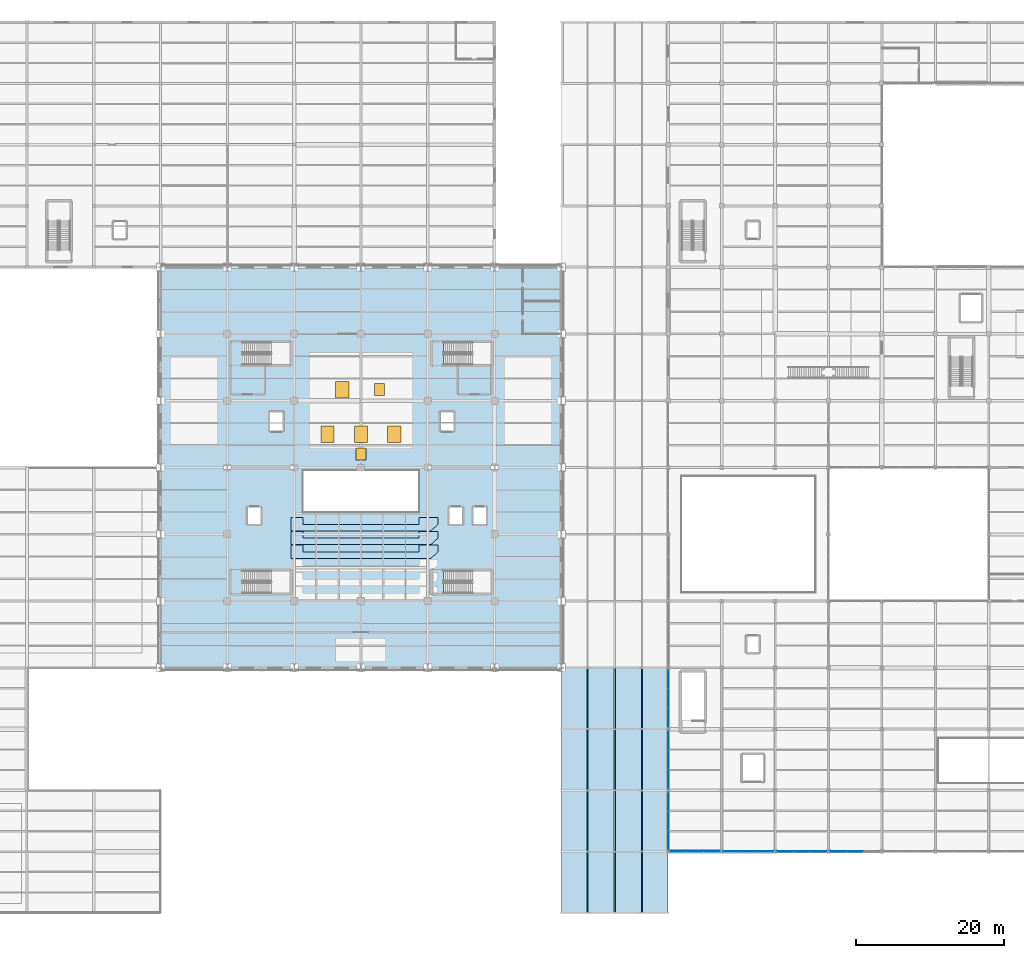
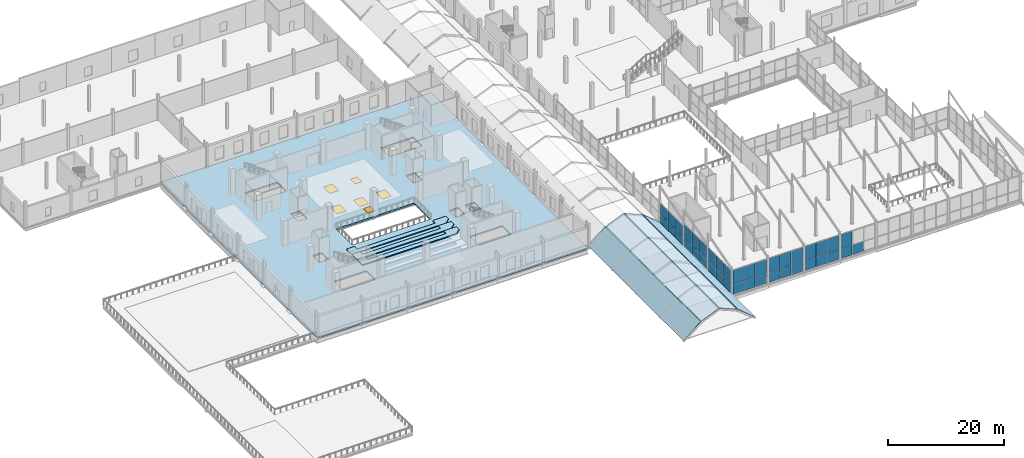
# One storey, part 100 of 141: 39 plates, 8 slabs, 6 doors, 6 openings, 7 elements without a shape of their own.
"""IFC4 building model written with IfcOpenShell, lengths in metres."""

from ifc_helpers import new_model, si_unit, direction, frame, origin, origin_2d, place, context, subcontext, project, spatial, polyline, rectangle, outline, extrude, material, layer, layer_set, type_object, element, fill, aggregate, save


model = new_model("IFC4")

# Units and contexts
model_context = context("Model", 3, precision=1e-05, world=origin(), true_north=direction((0.0, 1.0)))
body_context = subcontext(model_context, "Body", "Model", "MODEL_VIEW")
ifc_project = project(units=[si_unit("LENGTHUNIT", "METRE"), si_unit("AREAUNIT", "SQUARE_METRE"), si_unit("VOLUMEUNIT", "CUBIC_METRE"), si_unit("PLANEANGLEUNIT", "RADIAN"), si_unit("MASSUNIT", "GRAM", prefix="KILO")], contexts=[model_context])

# Site, building, storey
site_placement = place(None, origin())
site = spatial("IfcSite", under=ifc_project, at=site_placement, CompositionType="ELEMENT")
building_placement = place(site_placement, origin())
building = spatial("IfcBuilding", under=site, at=building_placement, Name="Sundgate Opera House", CompositionType="ELEMENT")
storey_placement = place(building_placement, frame((0.0, 0.0, 11.39990234375)))
storey = spatial("IfcBuildingStorey", under=building, at=storey_placement, Name="L02", CompositionType="ELEMENT", Elevation=11.39990234375)

# Curtain wall, plates
ifc_material_1 = material(Name="Anodized aluminium and low-iron glass", Category="aluminium")
ifc_layer_1 = layer(ifc_material_1, 0.14990234375)
ifc_layer_set_1 = layer_set([ifc_layer_1], Name="Anodized aluminium and low-iron glass")
curtain_wall_type = type_object("IfcCurtainWallType", Name="CW-WORKSHOP-DARK", PredefinedType="NOTDEFINED", material=ifc_layer_set_1)
curtain_wall_1_placement = place(storey_placement, origin())
curtain_wall_1 = element("IfcCurtainWall", 1, at=curtain_wall_1_placement, inside=storey, type_object=curtain_wall_type, Name="L02 Curtain Wall CW154", PredefinedType="NOTDEFINED")
ifc_material_2 = material(Name="Dark solar-control triple acoustic glazing", Category="glass")
ifc_layer_2 = layer(ifc_material_2, 0.031982421875)
ifc_layer_set_2 = layer_set([ifc_layer_2], Name="Dark solar-control triple acoustic glazing")
plate_type_1 = type_object("IfcPlateType", Name="CWP-DARK-32", PredefinedType="CURTAIN_PANEL", material=ifc_layer_set_2)
plate_1_placement = place(storey_placement, frame((101.25, 8.25, 0.02001953125), z_axis=(0.0, 0.0, 1.0), x_axis=(-1.0, 0.0, 0.0)))
plate_1 = element("IfcPlate", 2, at=plate_1_placement, type_object=plate_type_1, Name="CW154 Panel 1", PredefinedType="CURTAIN_PANEL", context=body_context, shape_type="SweptSolid", body=[
    extrude(rectangle(XDim=2.2099609375, YDim=0.031982421875, at=origin_2d()), origin(), (0.0, 0.0, 1.0), 2.06005859375),
])
plate_2_placement = place(storey_placement, frame((101.25, 8.25, 2.1201171875), z_axis=(0.0, 0.0, 1.0), x_axis=(-1.0, 0.0, 0.0)))
plate_2 = element("IfcPlate", 3, at=plate_2_placement, type_object=plate_type_1, Name="CW154 Panel 2", PredefinedType="CURTAIN_PANEL", context=body_context, shape_type="SweptSolid", body=[
    extrude(rectangle(XDim=2.2099609375, YDim=0.031982421875, at=origin_2d()), origin(), (0.0, 0.0, 1.0), 2.945068359375),
])
plate_3_placement = place(storey_placement, frame((99.0, 8.25, 0.02001953125), z_axis=(0.0, 0.0, 1.0), x_axis=(-1.0, 0.0, 0.0)))
plate_3 = element("IfcPlate", 4, at=plate_3_placement, type_object=plate_type_1, Name="CW154 Panel 3", PredefinedType="CURTAIN_PANEL", context=body_context, shape_type="SweptSolid", body=[
    extrude(rectangle(XDim=2.2099609375, YDim=0.031982421875, at=origin_2d()), origin(), (0.0, 0.0, 1.0), 2.06005859375),
])
plate_4_placement = place(storey_placement, frame((99.0, 8.25, 2.1201171875), z_axis=(0.0, 0.0, 1.0), x_axis=(-1.0, 0.0, 0.0)))
plate_4 = element("IfcPlate", 5, at=plate_4_placement, type_object=plate_type_1, Name="CW154 Panel 4", PredefinedType="CURTAIN_PANEL", context=body_context, shape_type="SweptSolid", body=[
    extrude(rectangle(XDim=2.2099609375, YDim=0.031982421875, at=origin_2d()), origin(), (0.0, 0.0, 1.0), 2.945068359375),
])
plate_5_placement = place(storey_placement, frame((96.75, 8.25, 0.02001953125), z_axis=(0.0, 0.0, 1.0), x_axis=(-1.0, 0.0, 0.0)))
plate_5 = element("IfcPlate", 6, at=plate_5_placement, type_object=plate_type_1, Name="CW154 Panel 5", PredefinedType="CURTAIN_PANEL", context=body_context, shape_type="SweptSolid", body=[
    extrude(rectangle(XDim=2.2099609375, YDim=0.031982421875, at=origin_2d()), origin(), (0.0, 0.0, 1.0), 2.06005859375),
])
plate_6_placement = place(storey_placement, frame((96.75, 8.25, 2.1201171875), z_axis=(0.0, 0.0, 1.0), x_axis=(-1.0, 0.0, 0.0)))
plate_6 = element("IfcPlate", 7, at=plate_6_placement, type_object=plate_type_1, Name="CW154 Panel 6", PredefinedType="CURTAIN_PANEL", context=body_context, shape_type="SweptSolid", body=[
    extrude(rectangle(XDim=2.2099609375, YDim=0.031982421875, at=origin_2d()), origin(), (0.0, 0.0, 1.0), 2.945068359375),
])
aggregate(curtain_wall_1, [plate_1, plate_2, plate_3, plate_4, plate_5, plate_6])

curtain_wall_2_placement = place(storey_placement, origin())
curtain_wall_2 = element("IfcCurtainWall", 8, at=curtain_wall_2_placement, inside=storey, type_object=curtain_wall_type, Name="L02 Curtain Wall CW155", PredefinedType="NOTDEFINED")
plate_7_placement = place(storey_placement, frame((108.449951171875, 8.25, 0.02001953125), z_axis=(0.0, 0.0, 1.0), x_axis=(-1.0, 0.0, 0.0)))
plate_7 = element("IfcPlate", 9, at=plate_7_placement, type_object=plate_type_1, Name="CW155 Panel 1", PredefinedType="CURTAIN_PANEL", context=body_context, shape_type="SweptSolid", body=[
    extrude(rectangle(XDim=2.2099609375, YDim=0.031982421875, at=origin_2d()), origin(), (0.0, 0.0, 1.0), 2.06005859375),
])
plate_8_placement = place(storey_placement, frame((108.449951171875, 8.25, 2.1201171875), z_axis=(0.0, 0.0, 1.0), x_axis=(-1.0, 0.0, 0.0)))
plate_8 = element("IfcPlate", 10, at=plate_8_placement, type_object=plate_type_1, Name="CW155 Panel 2", PredefinedType="CURTAIN_PANEL", context=body_context, shape_type="SweptSolid", body=[
    extrude(rectangle(XDim=2.2099609375, YDim=0.031982421875, at=origin_2d()), origin(), (0.0, 0.0, 1.0), 2.945068359375),
])
plate_9_placement = place(storey_placement, frame((106.199951171875, 8.25, 0.02001953125), z_axis=(0.0, 0.0, 1.0), x_axis=(-1.0, 0.0, 0.0)))
plate_9 = element("IfcPlate", 11, at=plate_9_placement, type_object=plate_type_1, Name="CW155 Panel 3", PredefinedType="CURTAIN_PANEL", context=body_context, shape_type="SweptSolid", body=[
    extrude(rectangle(XDim=2.2099609375, YDim=0.031982421875, at=origin_2d()), origin(), (0.0, 0.0, 1.0), 2.06005859375),
])
plate_10_placement = place(storey_placement, frame((106.199951171875, 8.25, 2.1201171875), z_axis=(0.0, 0.0, 1.0), x_axis=(-1.0, 0.0, 0.0)))
plate_10 = element("IfcPlate", 12, at=plate_10_placement, type_object=plate_type_1, Name="CW155 Panel 4", PredefinedType="CURTAIN_PANEL", context=body_context, shape_type="SweptSolid", body=[
    extrude(rectangle(XDim=2.2099609375, YDim=0.031982421875, at=origin_2d()), origin(), (0.0, 0.0, 1.0), 2.945068359375),
])
plate_11_placement = place(storey_placement, frame((103.949951171875, 8.25, 0.02001953125), z_axis=(0.0, 0.0, 1.0), x_axis=(-1.0, 0.0, 0.0)))
plate_11 = element("IfcPlate", 13, at=plate_11_placement, type_object=plate_type_1, Name="CW155 Panel 5", PredefinedType="CURTAIN_PANEL", context=body_context, shape_type="SweptSolid", body=[
    extrude(rectangle(XDim=2.2099609375, YDim=0.031982421875, at=origin_2d()), origin(), (0.0, 0.0, 1.0), 2.06005859375),
])
plate_12_placement = place(storey_placement, frame((103.949951171875, 8.25, 2.1201171875), z_axis=(0.0, 0.0, 1.0), x_axis=(-1.0, 0.0, 0.0)))
plate_12 = element("IfcPlate", 14, at=plate_12_placement, type_object=plate_type_1, Name="CW155 Panel 6", PredefinedType="CURTAIN_PANEL", context=body_context, shape_type="SweptSolid", body=[
    extrude(rectangle(XDim=2.2099609375, YDim=0.031982421875, at=origin_2d()), origin(), (0.0, 0.0, 1.0), 2.945068359375),
])
aggregate(curtain_wall_2, [plate_7, plate_8, plate_9, plate_10, plate_11, plate_12])

curtain_wall_3_placement = place(storey_placement, origin())
curtain_wall_3 = element("IfcCurtainWall", 15, at=curtain_wall_3_placement, inside=storey, type_object=curtain_wall_type, Name="L02 Curtain Wall CW157", PredefinedType="NOTDEFINED")
plate_13_placement = place(storey_placement, frame((120.60009765625, 8.25, 0.02001953125), z_axis=(0.0, 0.0, 1.0), x_axis=(-1.0, 0.0, 0.0)))
plate_13 = element("IfcPlate", 16, at=plate_13_placement, type_object=plate_type_1, Name="CW157 Panel 3", PredefinedType="CURTAIN_PANEL", context=body_context, shape_type="SweptSolid", body=[
    extrude(rectangle(XDim=2.2099609375, YDim=0.031982421875, at=origin_2d()), origin(), (0.0, 0.0, 1.0), 2.06005859375),
])
plate_14_placement = place(storey_placement, frame((118.35009765625, 8.25, 0.02001953125), z_axis=(0.0, 0.0, 1.0), x_axis=(-1.0, 0.0, 0.0)))
plate_14 = element("IfcPlate", 17, at=plate_14_placement, type_object=plate_type_1, Name="CW157 Panel 5", PredefinedType="CURTAIN_PANEL", context=body_context, shape_type="SweptSolid", body=[
    extrude(rectangle(XDim=2.2099609375, YDim=0.031982421875, at=origin_2d()), origin(), (0.0, 0.0, 1.0), 2.06005859375),
])
plate_15_placement = place(storey_placement, frame((118.35009765625, 8.25, 2.1201171875), z_axis=(0.0, 0.0, 1.0), x_axis=(-1.0, 0.0, 0.0)))
plate_15 = element("IfcPlate", 18, at=plate_15_placement, type_object=plate_type_1, Name="CW157 Panel 6", PredefinedType="CURTAIN_PANEL", context=body_context, shape_type="SweptSolid", body=[
    extrude(rectangle(XDim=2.2099609375, YDim=0.031982421875, at=origin_2d()), origin(), (0.0, 0.0, 1.0), 2.945068359375),
])
aggregate(curtain_wall_3, [plate_13, plate_14, plate_15])

curtain_wall_4_placement = place(storey_placement, origin())
curtain_wall_4 = element("IfcCurtainWall", 19, at=curtain_wall_4_placement, inside=storey, type_object=curtain_wall_type, Name="L02 Curtain Wall CW162", PredefinedType="NOTDEFINED")
plate_16_placement = place(storey_placement, frame((95.39990234375, 14.97509765625, 0.02001953125), z_axis=(0.0, 0.0, 1.0), x_axis=(0.0, -1.0, 0.0)))
plate_16 = element("IfcPlate", 20, at=plate_16_placement, type_object=plate_type_1, Name="CW162 Panel 1", PredefinedType="CURTAIN_PANEL", context=body_context, shape_type="SweptSolid", body=[
    extrude(rectangle(XDim=2.56005859375, YDim=0.031982421875, at=origin_2d()), origin(), (0.0, 0.0, 1.0), 2.06005859375),
])
plate_17_placement = place(storey_placement, frame((95.39990234375, 14.97509765625, 2.1201171875), z_axis=(0.0, 0.0, 1.0), x_axis=(0.0, -1.0, 0.0)))
plate_17 = element("IfcPlate", 21, at=plate_17_placement, type_object=plate_type_1, Name="CW162 Panel 2", PredefinedType="CURTAIN_PANEL", context=body_context, shape_type="SweptSolid", body=[
    extrude(rectangle(XDim=2.56005859375, YDim=0.031982421875, at=origin_2d()), origin(), (0.0, 0.0, 1.0), 2.945068359375),
])
plate_18_placement = place(storey_placement, frame((95.39990234375, 12.375, 0.02001953125), z_axis=(0.0, 0.0, 1.0), x_axis=(0.0, -1.0, 0.0)))
plate_18 = element("IfcPlate", 22, at=plate_18_placement, type_object=plate_type_1, Name="CW162 Panel 3", PredefinedType="CURTAIN_PANEL", context=body_context, shape_type="SweptSolid", body=[
    extrude(rectangle(XDim=2.56005859375, YDim=0.031982421875, at=origin_2d()), origin(), (0.0, 0.0, 1.0), 2.06005859375),
])
plate_19_placement = place(storey_placement, frame((95.39990234375, 12.375, 2.1201171875), z_axis=(0.0, 0.0, 1.0), x_axis=(0.0, -1.0, 0.0)))
plate_19 = element("IfcPlate", 23, at=plate_19_placement, type_object=plate_type_1, Name="CW162 Panel 4", PredefinedType="CURTAIN_PANEL", context=body_context, shape_type="SweptSolid", body=[
    extrude(rectangle(XDim=2.56005859375, YDim=0.031982421875, at=origin_2d()), origin(), (0.0, 0.0, 1.0), 2.945068359375),
])
plate_20_placement = place(storey_placement, frame((95.39990234375, 9.77490234375, 0.02001953125), z_axis=(0.0, 0.0, 1.0), x_axis=(0.0, -1.0, 0.0)))
plate_20 = element("IfcPlate", 24, at=plate_20_placement, type_object=plate_type_1, Name="CW162 Panel 5", PredefinedType="CURTAIN_PANEL", context=body_context, shape_type="SweptSolid", body=[
    extrude(rectangle(XDim=2.56005859375, YDim=0.031982421875, at=origin_2d()), origin(), (0.0, 0.0, 1.0), 2.06005859375),
])
plate_21_placement = place(storey_placement, frame((95.39990234375, 9.77490234375, 2.1201171875), z_axis=(0.0, 0.0, 1.0), x_axis=(0.0, -1.0, 0.0)))
plate_21 = element("IfcPlate", 25, at=plate_21_placement, type_object=plate_type_1, Name="CW162 Panel 6", PredefinedType="CURTAIN_PANEL", context=body_context, shape_type="SweptSolid", body=[
    extrude(rectangle(XDim=2.56005859375, YDim=0.031982421875, at=origin_2d()), origin(), (0.0, 0.0, 1.0), 2.945068359375),
])
aggregate(curtain_wall_4, [plate_16, plate_17, plate_18, plate_19, plate_20, plate_21])

curtain_wall_5_placement = place(storey_placement, origin())
curtain_wall_5 = element("IfcCurtainWall", 26, at=curtain_wall_5_placement, inside=storey, type_object=curtain_wall_type, Name="L02 Curtain Wall CW163", PredefinedType="NOTDEFINED")
plate_22_placement = place(storey_placement, frame((95.39990234375, 23.22509765625, 0.02001953125), z_axis=(0.0, 0.0, 1.0), x_axis=(0.0, -1.0, 0.0)))
plate_22 = element("IfcPlate", 27, at=plate_22_placement, type_object=plate_type_1, Name="CW163 Panel 1", PredefinedType="CURTAIN_PANEL", context=body_context, shape_type="SweptSolid", body=[
    extrude(rectangle(XDim=2.56005859375, YDim=0.031982421875, at=origin_2d()), origin(), (0.0, 0.0, 1.0), 2.06005859375),
])
plate_23_placement = place(storey_placement, frame((95.39990234375, 23.22509765625, 2.1201171875), z_axis=(0.0, 0.0, 1.0), x_axis=(0.0, -1.0, 0.0)))
plate_23 = element("IfcPlate", 28, at=plate_23_placement, type_object=plate_type_1, Name="CW163 Panel 2", PredefinedType="CURTAIN_PANEL", context=body_context, shape_type="SweptSolid", body=[
    extrude(rectangle(XDim=2.56005859375, YDim=0.031982421875, at=origin_2d()), origin(), (0.0, 0.0, 1.0), 2.945068359375),
])
plate_24_placement = place(storey_placement, frame((95.39990234375, 20.625, 0.02001953125), z_axis=(0.0, 0.0, 1.0), x_axis=(0.0, -1.0, 0.0)))
plate_24 = element("IfcPlate", 29, at=plate_24_placement, type_object=plate_type_1, Name="CW163 Panel 3", PredefinedType="CURTAIN_PANEL", context=body_context, shape_type="SweptSolid", body=[
    extrude(rectangle(XDim=2.56005859375, YDim=0.031982421875, at=origin_2d()), origin(), (0.0, 0.0, 1.0), 2.06005859375),
])
plate_25_placement = place(storey_placement, frame((95.39990234375, 20.625, 2.1201171875), z_axis=(0.0, 0.0, 1.0), x_axis=(0.0, -1.0, 0.0)))
plate_25 = element("IfcPlate", 30, at=plate_25_placement, type_object=plate_type_1, Name="CW163 Panel 4", PredefinedType="CURTAIN_PANEL", context=body_context, shape_type="SweptSolid", body=[
    extrude(rectangle(XDim=2.56005859375, YDim=0.031982421875, at=origin_2d()), origin(), (0.0, 0.0, 1.0), 2.945068359375),
])
plate_26_placement = place(storey_placement, frame((95.39990234375, 18.02490234375, 0.02001953125), z_axis=(0.0, 0.0, 1.0), x_axis=(0.0, -1.0, 0.0)))
plate_26 = element("IfcPlate", 31, at=plate_26_placement, type_object=plate_type_1, Name="CW163 Panel 5", PredefinedType="CURTAIN_PANEL", context=body_context, shape_type="SweptSolid", body=[
    extrude(rectangle(XDim=2.56005859375, YDim=0.031982421875, at=origin_2d()), origin(), (0.0, 0.0, 1.0), 2.06005859375),
])
plate_27_placement = place(storey_placement, frame((95.39990234375, 18.02490234375, 2.1201171875), z_axis=(0.0, 0.0, 1.0), x_axis=(0.0, -1.0, 0.0)))
plate_27 = element("IfcPlate", 32, at=plate_27_placement, type_object=plate_type_1, Name="CW163 Panel 6", PredefinedType="CURTAIN_PANEL", context=body_context, shape_type="SweptSolid", body=[
    extrude(rectangle(XDim=2.56005859375, YDim=0.031982421875, at=origin_2d()), origin(), (0.0, 0.0, 1.0), 2.945068359375),
])
aggregate(curtain_wall_5, [plate_22, plate_23, plate_24, plate_25, plate_26, plate_27])

curtain_wall_6_placement = place(storey_placement, origin())
curtain_wall_6 = element("IfcCurtainWall", 33, at=curtain_wall_6_placement, inside=storey, type_object=curtain_wall_type, Name="L02 Curtain Wall CW164", PredefinedType="NOTDEFINED")
plate_28_placement = place(storey_placement, frame((95.39990234375, 31.47509765625, 0.02001953125), z_axis=(0.0, 0.0, 1.0), x_axis=(0.0, -1.0, 0.0)))
plate_28 = element("IfcPlate", 34, at=plate_28_placement, type_object=plate_type_1, Name="CW164 Panel 1", PredefinedType="CURTAIN_PANEL", context=body_context, shape_type="SweptSolid", body=[
    extrude(rectangle(XDim=2.56005859375, YDim=0.031982421875, at=origin_2d()), origin(), (0.0, 0.0, 1.0), 2.06005859375),
])
plate_29_placement = place(storey_placement, frame((95.39990234375, 31.47509765625, 2.1201171875), z_axis=(0.0, 0.0, 1.0), x_axis=(0.0, -1.0, 0.0)))
plate_29 = element("IfcPlate", 35, at=plate_29_placement, type_object=plate_type_1, Name="CW164 Panel 2", PredefinedType="CURTAIN_PANEL", context=body_context, shape_type="SweptSolid", body=[
    extrude(rectangle(XDim=2.56005859375, YDim=0.031982421875, at=origin_2d()), origin(), (0.0, 0.0, 1.0), 2.31494140625),
])
plate_30_placement = place(storey_placement, frame((95.39990234375, 28.875, 0.02001953125), z_axis=(0.0, 0.0, 1.0), x_axis=(0.0, -1.0, 0.0)))
plate_30 = element("IfcPlate", 36, at=plate_30_placement, type_object=plate_type_1, Name="CW164 Panel 3", PredefinedType="CURTAIN_PANEL", context=body_context, shape_type="SweptSolid", body=[
    extrude(rectangle(XDim=2.56005859375, YDim=0.031982421875, at=origin_2d()), origin(), (0.0, 0.0, 1.0), 2.06005859375),
])
plate_31_placement = place(storey_placement, frame((95.39990234375, 28.875, 2.1201171875), z_axis=(0.0, 0.0, 1.0), x_axis=(0.0, -1.0, 0.0)))
plate_31 = element("IfcPlate", 37, at=plate_31_placement, type_object=plate_type_1, Name="CW164 Panel 4", PredefinedType="CURTAIN_PANEL", context=body_context, shape_type="SweptSolid", body=[
    extrude(rectangle(XDim=2.56005859375, YDim=0.031982421875, at=origin_2d()), origin(), (0.0, 0.0, 1.0), 2.31494140625),
])
plate_32_placement = place(storey_placement, frame((95.39990234375, 26.27490234375, 0.02001953125), z_axis=(0.0, 0.0, 1.0), x_axis=(0.0, -1.0, 0.0)))
plate_32 = element("IfcPlate", 38, at=plate_32_placement, type_object=plate_type_1, Name="CW164 Panel 5", PredefinedType="CURTAIN_PANEL", context=body_context, shape_type="SweptSolid", body=[
    extrude(rectangle(XDim=2.56005859375, YDim=0.031982421875, at=origin_2d()), origin(), (0.0, 0.0, 1.0), 2.06005859375),
])
plate_33_placement = place(storey_placement, frame((95.39990234375, 26.27490234375, 2.1201171875), z_axis=(0.0, 0.0, 1.0), x_axis=(0.0, -1.0, 0.0)))
plate_33 = element("IfcPlate", 39, at=plate_33_placement, type_object=plate_type_1, Name="CW164 Panel 6", PredefinedType="CURTAIN_PANEL", context=body_context, shape_type="SweptSolid", body=[
    extrude(rectangle(XDim=2.56005859375, YDim=0.031982421875, at=origin_2d()), origin(), (0.0, 0.0, 1.0), 2.31494140625),
])
aggregate(curtain_wall_6, [plate_28, plate_29, plate_30, plate_31, plate_32, plate_33])

curtain_wall_7_placement = place(storey_placement, origin())
curtain_wall_7 = element("IfcCurtainWall", 40, at=curtain_wall_7_placement, inside=storey, type_object=curtain_wall_type, Name="L02 Curtain Wall CW156", PredefinedType="NOTDEFINED")
ifc_material_3 = material(Name="Vitrified stoneware trencadis spandrel panel", Category="masonry")
ifc_layer_3 = layer(ifc_material_3, 0.0419921875)
ifc_layer_set_3 = layer_set([ifc_layer_3], Name="Vitrified stoneware trencadis spandrel panel")
plate_type_2 = type_object("IfcPlateType", Name="CWP-SPAND-42", PredefinedType="CURTAIN_PANEL", material=ifc_layer_set_3)
plate_34_placement = place(storey_placement, frame((115.64990234375, 8.25, 0.02001953125), z_axis=(0.0, 0.0, 1.0), x_axis=(-1.0, 0.0, 0.0)))
plate_34 = element("IfcPlate", 41, at=plate_34_placement, type_object=plate_type_2, Name="CW156 Panel 1", PredefinedType="CURTAIN_PANEL", context=body_context, shape_type="SweptSolid", body=[
    extrude(rectangle(XDim=2.2099609375, YDim=0.0419921875, at=origin_2d()), origin(), (0.0, 0.0, 1.0), 2.06005859375),
])
plate_35_placement = place(storey_placement, frame((115.64990234375, 8.25, 2.1201171875), z_axis=(0.0, 0.0, 1.0), x_axis=(-1.0, 0.0, 0.0)))
plate_35 = element("IfcPlate", 42, at=plate_35_placement, type_object=plate_type_2, Name="CW156 Panel 2", PredefinedType="CURTAIN_PANEL", context=body_context, shape_type="SweptSolid", body=[
    extrude(rectangle(XDim=2.2099609375, YDim=0.0419921875, at=origin_2d()), origin(), (0.0, 0.0, 1.0), 2.945068359375),
])
plate_36_placement = place(storey_placement, frame((113.39990234375, 8.25, 0.02001953125), z_axis=(0.0, 0.0, 1.0), x_axis=(-1.0, 0.0, 0.0)))
plate_36 = element("IfcPlate", 43, at=plate_36_placement, type_object=plate_type_2, Name="CW156 Panel 3", PredefinedType="CURTAIN_PANEL", context=body_context, shape_type="SweptSolid", body=[
    extrude(rectangle(XDim=2.2099609375, YDim=0.0419921875, at=origin_2d()), origin(), (0.0, 0.0, 1.0), 2.06005859375),
])
plate_37_placement = place(storey_placement, frame((113.39990234375, 8.25, 2.1201171875), z_axis=(0.0, 0.0, 1.0), x_axis=(-1.0, 0.0, 0.0)))
plate_37 = element("IfcPlate", 44, at=plate_37_placement, type_object=plate_type_2, Name="CW156 Panel 4", PredefinedType="CURTAIN_PANEL", context=body_context, shape_type="SweptSolid", body=[
    extrude(rectangle(XDim=2.2099609375, YDim=0.0419921875, at=origin_2d()), origin(), (0.0, 0.0, 1.0), 2.945068359375),
])
plate_38_placement = place(storey_placement, frame((111.14990234375, 8.25, 0.02001953125), z_axis=(0.0, 0.0, 1.0), x_axis=(-1.0, 0.0, 0.0)))
plate_38 = element("IfcPlate", 45, at=plate_38_placement, type_object=plate_type_2, Name="CW156 Panel 5", PredefinedType="CURTAIN_PANEL", context=body_context, shape_type="SweptSolid", body=[
    extrude(rectangle(XDim=2.2099609375, YDim=0.0419921875, at=origin_2d()), origin(), (0.0, 0.0, 1.0), 2.06005859375),
])
plate_39_placement = place(storey_placement, frame((111.14990234375, 8.25, 2.1201171875), z_axis=(0.0, 0.0, 1.0), x_axis=(-1.0, 0.0, 0.0)))
plate_39 = element("IfcPlate", 46, at=plate_39_placement, type_object=plate_type_2, Name="CW156 Panel 6", PredefinedType="CURTAIN_PANEL", context=body_context, shape_type="SweptSolid", body=[
    extrude(rectangle(XDim=2.2099609375, YDim=0.0419921875, at=origin_2d()), origin(), (0.0, 0.0, 1.0), 2.945068359375),
])
aggregate(curtain_wall_7, [plate_34, plate_35, plate_36, plate_37, plate_38, plate_39])

# Slab, openings, doors
ifc_material_4 = material(Name="Concrete C40/50", Category="concrete")
ifc_layer_4 = layer(ifc_material_4, 0.320068359375)
ifc_layer_set_4 = layer_set([ifc_layer_4], Name="Concrete C40/50")
slab_type_1 = type_object("IfcSlabType", Name="SL-FLR-320", PredefinedType="FLOOR", material=ifc_layer_set_4)
slab_1_placement = place(storey_placement, frame((0.0, 0.0, -0.31982421875)))
slab_1 = element("IfcSlab", 47, at=slab_1_placement, inside=storey, type_object=slab_type_1, Name="L02 Structural Floor Slab V1", PredefinedType="FLOOR", context=body_context, shape_type="SweptSolid", body=[
    extrude(outline(polyline([(27.0, 33.0), (81.0, 33.0), (81.0, 87.0), (27.0, 87.0), (27.0, 33.0)]), holes=[polyline([(46.199951171875, 59.60009765625), (61.800048828125, 59.60009765625), (61.800048828125, 54.0), (46.199951171875, 54.0), (46.199951171875, 59.60009765625)]), polyline([(38.050048828125, 46.10009765625), (44.449951171875, 46.10009765625), (44.449951171875, 43.050048828125), (38.050048828125, 43.050048828125), (38.050048828125, 46.10009765625)]), polyline([(38.050048828125, 76.89990234375), (44.449951171875, 76.89990234375), (44.449951171875, 73.85009765625), (38.050048828125, 73.85009765625), (38.050048828125, 76.89990234375)]), polyline([(65.14990234375, 46.10009765625), (71.550048828125, 46.10009765625), (71.550048828125, 43.050048828125), (65.14990234375, 43.050048828125), (65.14990234375, 46.10009765625)]), polyline([(65.14990234375, 76.89990234375), (71.550048828125, 76.89990234375), (71.550048828125, 73.85009765625), (65.14990234375, 73.85009765625), (65.14990234375, 76.89990234375)]), polyline([(65.919921875, 54.6298828125), (67.679931640625, 54.6298828125), (67.679931640625, 52.3701171875), (65.919921875, 52.3701171875), (65.919921875, 54.6298828125)]), polyline([(69.1201171875, 54.6298828125), (70.8798828125, 54.6298828125), (70.8798828125, 52.3701171875), (69.1201171875, 52.3701171875), (69.1201171875, 54.6298828125)]), polyline([(38.719970703125, 54.6298828125), (40.47998046875, 54.6298828125), (40.47998046875, 52.3701171875), (38.719970703125, 52.3701171875), (38.719970703125, 54.6298828125)]), polyline([(41.719970703125, 67.47998046875), (43.47998046875, 67.47998046875), (43.47998046875, 64.919921875), (41.719970703125, 64.919921875), (41.719970703125, 67.47998046875)]), polyline([(64.719970703125, 67.47998046875), (66.47998046875, 67.47998046875), (66.47998046875, 64.919921875), (64.719970703125, 64.919921875), (64.719970703125, 67.47998046875)])]), origin(), (0.0, 0.0, 1.0), 0.31982421875),
])
opening_1_placement = place(slab_1_placement, frame((49.5, 64.5, 0.0)))
opening_1 = element("IfcOpeningElement", 48, at=opening_1_placement, cuts=slab_1, Name="Opening TD1", PredefinedType="OPENING", context=body_context, shape_type="SweptSolid", body=[
    extrude(rectangle(XDim=1.800048828125, YDim=2.199951171875, at=origin_2d()), origin(), (0.0, 0.0, 1.0), 0.31982421875),
])
opening_2_placement = place(slab_1_placement, frame((54.0, 64.5, 0.0)))
opening_2 = element("IfcOpeningElement", 49, at=opening_2_placement, cuts=slab_1, Name="Opening TD1", PredefinedType="OPENING", context=body_context, shape_type="SweptSolid", body=[
    extrude(rectangle(XDim=1.800048828125, YDim=2.199951171875, at=origin_2d()), origin(), (0.0, 0.0, 1.0), 0.31982421875),
])
opening_3_placement = place(slab_1_placement, frame((58.5, 64.5, 0.0)))
opening_3 = element("IfcOpeningElement", 50, at=opening_3_placement, cuts=slab_1, Name="Opening TD1", PredefinedType="OPENING", context=body_context, shape_type="SweptSolid", body=[
    extrude(rectangle(XDim=1.800048828125, YDim=2.199951171875, at=origin_2d()), origin(), (0.0, 0.0, 1.0), 0.31982421875),
])
opening_4_placement = place(slab_1_placement, frame((51.5, 70.5, 0.0)))
opening_4 = element("IfcOpeningElement", 51, at=opening_4_placement, cuts=slab_1, Name="Opening TD1", PredefinedType="OPENING", context=body_context, shape_type="SweptSolid", body=[
    extrude(rectangle(XDim=1.800048828125, YDim=2.199951171875, at=origin_2d()), origin(), (0.0, 0.0, 1.0), 0.31982421875),
])
opening_5_placement = place(slab_1_placement, frame((56.5, 70.5, 0.0)))
opening_5 = element("IfcOpeningElement", 52, at=opening_5_placement, cuts=slab_1, Name="Opening TD2", PredefinedType="OPENING", context=body_context, shape_type="SweptSolid", body=[
    extrude(rectangle(XDim=1.39990234375, YDim=1.60009765625, at=origin_2d()), origin(), (0.0, 0.0, 1.0), 0.31982421875),
])
opening_6_placement = place(slab_1_placement, frame((54.0, 61.800048828125, 0.0)))
opening_6 = element("IfcOpeningElement", 53, at=opening_6_placement, cuts=slab_1, Name="Opening TD2", PredefinedType="OPENING", context=body_context, shape_type="SweptSolid", body=[
    extrude(rectangle(XDim=1.39990234375, YDim=1.60009765625, at=origin_2d()), origin(), (0.0, 0.0, 1.0), 0.31982421875),
])
ifc_material_5 = material(Name="Acoustic hardwood timber and steel core", Category="steel")
door_type_1 = type_object("IfcDoorType", Name="DR-TRAP-1400x1600", OperationType="SINGLE_SWING_LEFT", PredefinedType="TRAPDOOR", material=ifc_material_5)
door_1_placement = place(opening_5_placement, frame((0.0, 0.0, 0.269775390625)))
door_1 = element("IfcDoor", 54, at=door_1_placement, inside=storey, type_object=door_type_1, Name="L02 Stage Trapdoor D0157", OperationType="SINGLE_SWING_LEFT", OverallHeight=1.60009765625, OverallWidth=1.39990234375, PredefinedType="TRAPDOOR", context=body_context, shape_type="SweptSolid", body=[
    extrude(rectangle(XDim=1.39990234375, YDim=1.60009765625, at=origin_2d()), origin(), (0.0, 0.0, 1.0), 0.050048828125),
])
fill(opening_5, door_1)
door_2_placement = place(opening_6_placement, frame((0.0, 0.0, 0.269775390625)))
door_2 = element("IfcDoor", 55, at=door_2_placement, inside=storey, type_object=door_type_1, Name="L02 Stage Trapdoor D0158", OperationType="SINGLE_SWING_LEFT", OverallHeight=1.60009765625, OverallWidth=1.39990234375, PredefinedType="TRAPDOOR", context=body_context, shape_type="SweptSolid", body=[
    extrude(rectangle(XDim=1.39990234375, YDim=1.60009765625, at=origin_2d()), origin(), (0.0, 0.0, 1.0), 0.050048828125),
])
fill(opening_6, door_2)
ifc_material_6 = material(Name="Acoustic hardwood timber and steel core", Category="steel")
door_type_2 = type_object("IfcDoorType", Name="DR-TRAP-1800x2200", OperationType="SINGLE_SWING_LEFT", PredefinedType="TRAPDOOR", material=ifc_material_6)
door_3_placement = place(opening_1_placement, frame((0.0, 0.0, 0.269775390625)))
door_3 = element("IfcDoor", 56, at=door_3_placement, inside=storey, type_object=door_type_2, Name="L02 Stage Trapdoor D0153", OperationType="SINGLE_SWING_LEFT", OverallHeight=2.199951171875, OverallWidth=1.800048828125, PredefinedType="TRAPDOOR", context=body_context, shape_type="SweptSolid", body=[
    extrude(rectangle(XDim=1.800048828125, YDim=2.199951171875, at=origin_2d()), origin(), (0.0, 0.0, 1.0), 0.050048828125),
])
fill(opening_1, door_3)
door_4_placement = place(opening_2_placement, frame((0.0, 0.0, 0.269775390625)))
door_4 = element("IfcDoor", 57, at=door_4_placement, inside=storey, type_object=door_type_2, Name="L02 Stage Trapdoor D0154", OperationType="SINGLE_SWING_LEFT", OverallHeight=2.199951171875, OverallWidth=1.800048828125, PredefinedType="TRAPDOOR", context=body_context, shape_type="SweptSolid", body=[
    extrude(rectangle(XDim=1.800048828125, YDim=2.199951171875, at=origin_2d()), origin(), (0.0, 0.0, 1.0), 0.050048828125),
])
fill(opening_2, door_4)
door_5_placement = place(opening_3_placement, frame((0.0, 0.0, 0.269775390625)))
door_5 = element("IfcDoor", 58, at=door_5_placement, inside=storey, type_object=door_type_2, Name="L02 Stage Trapdoor D0155", OperationType="SINGLE_SWING_LEFT", OverallHeight=2.199951171875, OverallWidth=1.800048828125, PredefinedType="TRAPDOOR", context=body_context, shape_type="SweptSolid", body=[
    extrude(rectangle(XDim=1.800048828125, YDim=2.199951171875, at=origin_2d()), origin(), (0.0, 0.0, 1.0), 0.050048828125),
])
fill(opening_3, door_5)
door_6_placement = place(opening_4_placement, frame((0.0, 0.0, 0.269775390625)))
door_6 = element("IfcDoor", 59, at=door_6_placement, inside=storey, type_object=door_type_2, Name="L02 Stage Trapdoor D0156", OperationType="SINGLE_SWING_LEFT", OverallHeight=2.199951171875, OverallWidth=1.800048828125, PredefinedType="TRAPDOOR", context=body_context, shape_type="SweptSolid", body=[
    extrude(rectangle(XDim=1.800048828125, YDim=2.199951171875, at=origin_2d()), origin(), (0.0, 0.0, 1.0), 0.050048828125),
])
fill(opening_4, door_6)

# Slabs
ifc_material_7 = material(Name="Precast concrete C40/50", Category="concrete")
ifc_layer_5 = layer(ifc_material_7, 0.175048828125)
ifc_layer_set_5 = layer_set([ifc_layer_5], Name="Precast concrete C40/50")
slab_type_2 = type_object("IfcSlabType", Name="SL-ROOF-175", PredefinedType="ROOF", material=ifc_layer_set_5)
slab_2_placement = place(storey_placement, frame((81.050048828125, 0.0, 0.35009765625), z_axis=(-0.641745567159, 0.0, 0.76691761424), x_axis=(0.76691761424, 0.0, 0.641745567159)))
element("IfcSlab", 60, at=slab_2_placement, inside=storey, type_object=slab_type_2, Name="Passage Vaulted Roof Slab SR041", PredefinedType="ROOF", context=body_context, shape_type="SweptSolid", body=[
    extrude(outline(polyline([(0.0, 0.0), (4.472359973139843, 0.0), (4.472359973139843, 33.0), (0.0, 33.0), (0.0, 0.0)])), origin(), (0.0, 0.0, -1.0), 0.175048828125),
])
for number, where, z_axis, x_axis, name in (
    (61, (84.6201171875, 0.0, 3.239990234375), (-0.390465496965, 0.0, 0.920617562118), (0.920617562118, 0.0, 0.390465496965), "Passage Vaulted Roof Slab SR042"),
    (62, (88.2900390625, 0.0, 4.72021484375), (0.390465496965, 0.0, 0.920617562118), (0.920617562118, 0.0, -0.390465496965), "Passage Vaulted Roof Slab SR043"),
):
    element("IfcSlab", number, at=place(storey_placement, frame(where, z_axis=z_axis, x_axis=x_axis)), inside=storey, type_object=slab_type_2, Name=name, PredefinedType="ROOF", context=body_context, shape_type="SweptSolid", body=[
        extrude(outline(polyline([(0.0, 0.0), (3.7909229391049664, 0.0), (3.7909229391049664, 33.0), (0.0, 33.0), (0.0, 0.0)])), origin(), (0.0, 0.0, -1.0), 0.175048828125),
    ])
slab_3_placement = place(storey_placement, frame((91.919921875, 0.0, 3.22021484375), z_axis=(0.641718701155, 0.0, 0.766940094524), x_axis=(0.766940094524, 0.0, -0.641718701155)))
element("IfcSlab", 63, at=slab_3_placement, inside=storey, type_object=slab_type_2, Name="Passage Vaulted Roof Slab SR044", PredefinedType="ROOF", context=body_context, shape_type="SweptSolid", body=[
    extrude(outline(polyline([(0.0, 0.0), (4.47254721162974, 0.0), (4.47254721162974, 33.00000000000001), (0.0, 33.00000000000001), (0.0, 0.0)])), origin(), (0.0, 0.0, -1.0), 0.175048828125),
])
ifc_material_8 = material(Name="Precast concrete C40/50", Category="concrete")
ifc_layer_6 = layer(ifc_material_8, 0.1650390625)
ifc_layer_set_6 = layer_set([ifc_layer_6], Name="Precast concrete C40/50")
slab_type_3 = type_object("IfcSlabType", Name="SL-TIER-165", PredefinedType="USERDEFINED", material=ifc_layer_set_6)
slab_4_placement = place(storey_placement, origin())
element("IfcSlab", 64, at=slab_4_placement, inside=storey, type_object=slab_type_3, Name="L02 Auditorium Stalls Tier 6", ObjectType="SEATING TIER", PredefinedType="USERDEFINED", context=body_context, shape_type="SweptSolid", body=[
    extrude(outline(polyline([(44.60009765625, 51.449951171875), (63.39990234375, 51.449951171875), (64.39990234375, 52.35009765625), (64.39990234375, 53.25), (61.800048828125, 53.25), (61.800048828125, 52.35009765625), (46.199951171875, 52.35009765625), (46.199951171875, 53.25), (44.60009765625, 53.25), (44.60009765625, 51.449951171875)])), origin(), (0.0, 0.0, 1.0), 0.1650390625),
])
ifc_material_9 = material(Name="Precast concrete C40/50", Category="concrete")
ifc_layer_7 = layer(ifc_material_9, 0.18505859375)
ifc_layer_set_7 = layer_set([ifc_layer_7], Name="Precast concrete C40/50")
slab_type_4 = type_object("IfcSlabType", Name="SL-TIER-185", PredefinedType="USERDEFINED", material=ifc_layer_set_7)
slab_5_placement = place(storey_placement, origin())
element("IfcSlab", 65, at=slab_5_placement, inside=storey, type_object=slab_type_4, Name="L02 Auditorium Stalls Tier 5", ObjectType="SEATING TIER", PredefinedType="USERDEFINED", context=body_context, shape_type="SweptSolid", body=[
    extrude(outline(polyline([(44.60009765625, 49.60009765625), (63.39990234375, 49.60009765625), (64.39990234375, 50.5), (64.39990234375, 51.39990234375), (61.800048828125, 51.39990234375), (61.800048828125, 50.5), (46.199951171875, 50.5), (46.199951171875, 51.39990234375), (44.60009765625, 51.39990234375), (44.60009765625, 49.60009765625)])), origin(), (0.0, 0.0, 1.0), 0.18505859375),
])
ifc_material_10 = material(Name="Precast concrete C40/50", Category="concrete")
ifc_layer_8 = layer(ifc_material_10, 0.205078125)
ifc_layer_set_8 = layer_set([ifc_layer_8], Name="Precast concrete C40/50")
slab_type_5 = type_object("IfcSlabType", Name="SL-TIER-205", PredefinedType="USERDEFINED", material=ifc_layer_set_8)
slab_6_placement = place(storey_placement, origin())
element("IfcSlab", 66, at=slab_6_placement, inside=storey, type_object=slab_type_5, Name="L02 Auditorium Stalls Tier 4", ObjectType="SEATING TIER", PredefinedType="USERDEFINED", context=body_context, shape_type="SweptSolid", body=[
    extrude(outline(polyline([(44.60009765625, 47.75), (63.39990234375, 47.75), (64.39990234375, 48.64990234375), (64.39990234375, 49.550048828125), (61.800048828125, 49.550048828125), (61.800048828125, 48.64990234375), (46.199951171875, 48.64990234375), (46.199951171875, 49.550048828125), (44.60009765625, 49.550048828125), (44.60009765625, 47.75)])), origin(), (0.0, 0.0, 1.0), 0.205078125),
])

save(model, "model.ifc")
